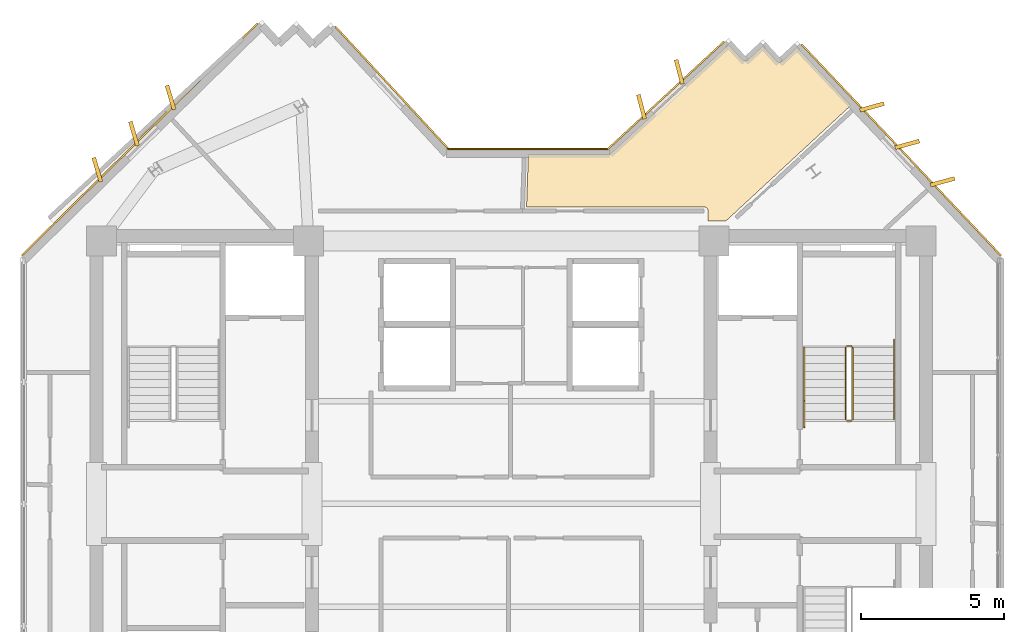
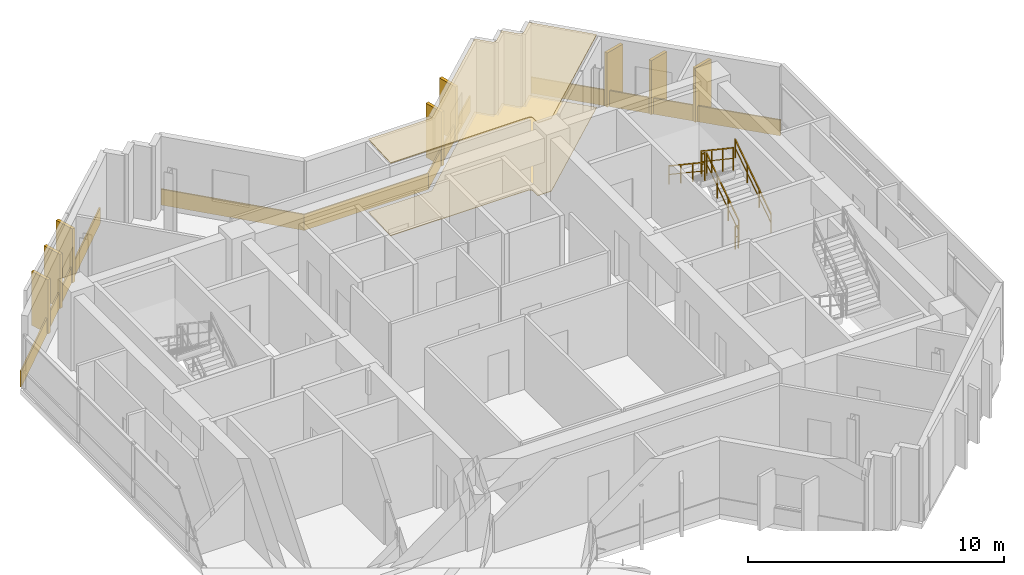
# One storey, part 9 of 9: 15 coverings, 6 railings.
"""IFC4 building model written with IfcOpenShell, lengths in metres."""

from ifc_helpers import new_model, si_unit, direction, frame, origin, origin_2d, place, context, subcontext, project, spatial, polyline, rectangle, outline, extrude, source, transform, mapped, material, layer, layer_set, type_object, element, save


model = new_model("IFC4")

# Units and contexts
model_context = context("Model", 3, precision=1e-05, world=origin(), true_north=direction((0.0, 1.0)))
body_context = subcontext(model_context, "Body", "Model", "MODEL_VIEW")
ifc_project = project(units=[si_unit("LENGTHUNIT", "METRE"), si_unit("AREAUNIT", "SQUARE_METRE"), si_unit("VOLUMEUNIT", "CUBIC_METRE"), si_unit("PLANEANGLEUNIT", "RADIAN"), si_unit("MASSUNIT", "GRAM", prefix="KILO")], contexts=[model_context])

# Site, building, storey
site_placement = place(None, origin())
site = spatial("IfcSite", under=ifc_project, at=site_placement, CompositionType="ELEMENT")
building_placement = place(site_placement, origin())
building = spatial("IfcBuilding", under=site, at=building_placement, Name="Zahravan Cultural Tower", CompositionType="ELEMENT")
storey_placement = place(building_placement, frame((0.0, 0.0, 291.60009765625)))
storey = spatial("IfcBuildingStorey", under=building, at=storey_placement, Name="L70", CompositionType="ELEMENT", Elevation=291.60009765625)

# Coverings
ifc_material_1 = material(Name="Acoustic mineral fibreboard")
ifc_layer_1 = layer(ifc_material_1, 0.0400390625)
ifc_layer_set_1 = layer_set([ifc_layer_1], Name="Acoustic mineral fibreboard")
covering_type_1 = type_object("IfcCoveringType", Name="COV-CEIL-AC20", PredefinedType="CEILING", material=ifc_layer_set_1)
covering_1_placement = place(storey_placement, frame((0.0, 0.0, 3.4599609375)))
element("IfcCovering", 1, at=covering_1_placement, inside=storey, type_object=covering_type_1, Name="L70 Acoustic Suspended Ceiling", PredefinedType="CEILING", context=body_context, shape_type="SweptSolid", body=[
    extrude(outline(polyline([(46.0068359375, 42.984619140625), (45.492919921875, 42.509521484375), (45.4326171875, 42.476318359375), (45.353515625, 42.4755859375), (45.2890625, 42.50927734375), (44.8056640625, 43.031494140625), (44.293212890625, 42.5576171875), (44.246337890625, 42.52880859375), (44.184326171875, 42.51904296875), (44.122802734375, 42.53369140625), (44.078125, 42.566162109375), (43.6044921875, 43.078369140625), (39.4951171875, 39.277587890625), (39.450927734375, 39.249755859375), (39.3994140625, 39.239990234375), (36.59814453125, 39.239990234375), (36.53515625, 37.39990234375), (42.77392578125, 37.399658203125), (42.8525390625, 37.362548828125), (42.8896484375, 37.283935546875), (42.889892578125, 36.89990234375), (43.5078125, 36.89990234375), (47.8876953125, 40.951171875), (46.0068359375, 42.984619140625)])), origin(), (0.0, 0.0, 1.0), 0.0400390625),
])
ifc_material_2 = material(Name="Terrazzo flooring")
ifc_layer_2 = layer(ifc_material_2, 0.02490234375)
ifc_layer_set_2 = layer_set([ifc_layer_2], Name="Terrazzo flooring")
covering_type_2 = type_object("IfcCoveringType", Name="COV-FLR-TZ25", PredefinedType="FLOORING", material=ifc_layer_set_2)
covering_2_placement = place(storey_placement, origin())
element("IfcCovering", 2, at=covering_2_placement, inside=storey, type_object=covering_type_2, Name="L70 Polished Terrazzo Flooring", PredefinedType="FLOORING", context=body_context, shape_type="SweptSolid", body=[
    extrude(outline(polyline([(46.0068359375, 42.984619140625), (45.492919921875, 42.509521484375), (45.4326171875, 42.476318359375), (45.353515625, 42.4755859375), (45.2890625, 42.50927734375), (44.8056640625, 43.031494140625), (44.293212890625, 42.5576171875), (44.246337890625, 42.52880859375), (44.184326171875, 42.51904296875), (44.122802734375, 42.53369140625), (44.078125, 42.566162109375), (43.6044921875, 43.078369140625), (39.4951171875, 39.277587890625), (39.450927734375, 39.249755859375), (39.3994140625, 39.239990234375), (36.59814453125, 39.239990234375), (36.53515625, 37.39990234375), (42.77392578125, 37.399658203125), (42.8525390625, 37.362548828125), (42.8896484375, 37.283935546875), (42.889892578125, 36.89990234375), (43.5078125, 36.89990234375), (47.8876953125, 40.951171875), (46.0068359375, 42.984619140625)])), origin(), (0.0, 0.0, 1.0), 0.02490234375),
])

# Railings
ifc_material_3 = material(Name="Steel ASTM A572 Grade 50", Category="steel")
railing_type_1 = type_object("IfcRailingType", Name="RL-STAIR-GRD1150", PredefinedType="BALUSTRADE", material=ifc_material_3)
railing_1_placement = place(storey_placement, frame((47.949951171875, 29.949951171875, 0.1875)))
element("IfcRailing", 3, at=railing_1_placement, inside=storey, type_object=railing_type_1, Name="L70 ST-E1 stair guard 1", PredefinedType="BALUSTRADE", context=body_context, shape_type="SweptSolid", body=[
    extrude(rectangle(XDim=0.05, YDim=0.05, at=origin_2d()), frame((0.0, 0.0, 1.0751953125), z_axis=(0.0, 0.830909170722, 0.55640807867), x_axis=(-1.0, 0.0, 0.0)), (0.0, 0.0, 1.0), 3.032958984375),
    extrude(rectangle(XDim=0.032, YDim=0.032, at=origin_2d()), frame((0.0, 0.0, 0.572021484375), z_axis=(0.0, 0.830909170722, 0.55640807867), x_axis=(-1.0, 0.0, 0.0)), (0.0, 0.0, 1.0), 3.032958984375),
    extrude(rectangle(XDim=0.04, YDim=0.04, at=origin_2d()), origin(), (0.0, 0.0, 1.0), 1.10009765625),
    extrude(rectangle(XDim=0.04, YDim=0.04, at=origin_2d()), frame((0.0, 0.840087890625, 0.5625)), (0.0, 0.0, 1.0), 1.10009765625),
    extrude(rectangle(XDim=0.04, YDim=0.04, at=origin_2d()), frame((0.0, 1.679931640625, 1.125)), (0.0, 0.0, 1.0), 1.10009765625),
    extrude(rectangle(XDim=0.04, YDim=0.04, at=origin_2d()), frame((0.0, 2.52001953125, 1.6875)), (0.0, 0.0, 1.0), 1.10009765625),
])
railing_2_placement = place(storey_placement, frame((47.89990234375, 32.52001953125, 1.875)))
element("IfcRailing", 4, at=railing_2_placement, inside=storey, type_object=railing_type_1, Name="L70 ST-E1 stair guard 2", PredefinedType="BALUSTRADE", context=body_context, shape_type="SweptSolid", body=[
    extrude(rectangle(XDim=0.05, YDim=0.05, at=origin_2d()), frame((0.0, 0.0, 1.0751953125), z_axis=(-1.0, 0.0, 0.0), x_axis=(0.0, -1.0, 0.0)), (0.0, 0.0, 1.0), 0.14990234375),
    extrude(rectangle(XDim=0.032, YDim=0.032, at=origin_2d()), frame((0.0, 0.0, 0.572021484375), z_axis=(-1.0, 0.0, 0.0), x_axis=(0.0, -1.0, 0.0)), (0.0, 0.0, 1.0), 0.14990234375),
    extrude(rectangle(XDim=0.04, YDim=0.04, at=origin_2d()), origin(), (0.0, 0.0, 1.0), 1.10009765625),
    extrude(rectangle(XDim=0.04, YDim=0.04, at=origin_2d()), frame((-0.14990234375, 0.0, 0.0)), (0.0, 0.0, 1.0), 1.10009765625),
])
railing_3_placement = place(storey_placement, frame((47.699951171875, 32.469970703125, 2.0625)))
element("IfcRailing", 5, at=railing_3_placement, inside=storey, type_object=railing_type_1, Name="L70 ST-E1 stair guard 3", PredefinedType="BALUSTRADE", context=body_context, shape_type="SweptSolid", body=[
    extrude(rectangle(XDim=0.05, YDim=0.05, at=origin_2d()), frame((0.0, 0.0, 1.0751953125), z_axis=(0.0, -0.830909170722, 0.55640807867), x_axis=(1.0, 0.0, 0.0)), (0.0, 0.0, 1.0), 3.032958984375),
    extrude(rectangle(XDim=0.032, YDim=0.032, at=origin_2d()), frame((0.0, 0.0, 0.572021484375), z_axis=(0.0, -0.830909170722, 0.55640807867), x_axis=(1.0, 0.0, 0.0)), (0.0, 0.0, 1.0), 3.032958984375),
    extrude(rectangle(XDim=0.04, YDim=0.04, at=origin_2d()), origin(), (0.0, 0.0, 1.0), 1.10009765625),
    extrude(rectangle(XDim=0.04, YDim=0.04, at=origin_2d()), frame((0.0, -0.840087890625, 0.5625)), (0.0, 0.0, 1.0), 1.10009765625),
    extrude(rectangle(XDim=0.04, YDim=0.04, at=origin_2d()), frame((0.0, -1.679931640625, 1.125)), (0.0, 0.0, 1.0), 1.10009765625),
    extrude(rectangle(XDim=0.04, YDim=0.04, at=origin_2d()), frame((0.0, -2.52001953125, 1.6875)), (0.0, 0.0, 1.0), 1.10009765625),
])
railing_4_placement = place(storey_placement, frame((47.89990234375, 29.89990234375, 0.0)))
element("IfcRailing", 6, at=railing_4_placement, inside=storey, type_object=railing_type_1, Name="L70 ST-E1 stair guard 4", PredefinedType="BALUSTRADE", context=body_context, shape_type="SweptSolid", body=[
    extrude(rectangle(XDim=0.05, YDim=0.05, at=origin_2d()), frame((0.0, 0.0, 1.0751953125), z_axis=(-1.0, 0.0, 0.0), x_axis=(0.0, -1.0, 0.0)), (0.0, 0.0, 1.0), 0.14990234375),
    extrude(rectangle(XDim=0.032, YDim=0.032, at=origin_2d()), frame((0.0, 0.0, 0.572021484375), z_axis=(-1.0, 0.0, 0.0), x_axis=(0.0, -1.0, 0.0)), (0.0, 0.0, 1.0), 0.14990234375),
    extrude(rectangle(XDim=0.04, YDim=0.04, at=origin_2d()), origin(), (0.0, 0.0, 1.0), 1.10009765625),
    extrude(rectangle(XDim=0.04, YDim=0.04, at=origin_2d()), frame((-0.14990234375, 0.0, 0.0)), (0.0, 0.0, 1.0), 1.10009765625),
])
railing_type_2 = type_object("IfcRailingType", Name="RL-STAIR-HR900", PredefinedType="HANDRAIL", material=ifc_material_3)
railing_5_placement = place(storey_placement, frame((49.39990234375, 29.949951171875, 0.1875)))
element("IfcRailing", 7, at=railing_5_placement, inside=storey, type_object=railing_type_2, Name="L70 ST-E1 stair handrail 1", PredefinedType="HANDRAIL", context=body_context, shape_type="SweptSolid", body=[
    extrude(rectangle(XDim=0.05, YDim=0.05, at=origin_2d()), frame((0.0, 0.0, 0.875), z_axis=(0.0, 0.830911662861, 0.55640435703), x_axis=(-1.0, 0.0, 0.0)), (0.0, 0.0, 1.0), 3.369873046875),
    extrude(rectangle(XDim=0.032, YDim=0.032, at=origin_2d()), frame((0.0, 0.0, 0.468017578125), z_axis=(0.0, 0.830911662861, 0.55640435703), x_axis=(-1.0, 0.0, 0.0)), (0.0, 0.0, 1.0), 3.369873046875),
    extrude(rectangle(XDim=0.04, YDim=0.04, at=origin_2d()), origin(), (0.0, 0.0, 1.0), 0.89990234375),
    extrude(rectangle(XDim=0.04, YDim=0.04, at=origin_2d()), frame((0.0, 0.933349609375, 0.625)), (0.0, 0.0, 1.0), 0.89990234375),
    extrude(rectangle(XDim=0.04, YDim=0.04, at=origin_2d()), frame((0.0, 1.86669921875, 1.25)), (0.0, 0.0, 1.0), 0.89990234375),
    extrude(rectangle(XDim=0.04, YDim=0.04, at=origin_2d()), frame((0.0, 2.800048828125, 1.875)), (0.0, 0.0, 1.0), 0.89990234375),
])
railing_6_placement = place(storey_placement, frame((46.25, 32.469970703125, 2.0625)))
element("IfcRailing", 8, at=railing_6_placement, inside=storey, type_object=railing_type_2, Name="L70 ST-E1 stair handrail 2", PredefinedType="HANDRAIL", context=body_context, shape_type="SweptSolid", body=[
    extrude(rectangle(XDim=0.05, YDim=0.05, at=origin_2d()), frame((0.0, 0.0, 0.875), z_axis=(0.0, -0.830911662861, 0.55640435703), x_axis=(1.0, 0.0, 0.0)), (0.0, 0.0, 1.0), 3.369873046875),
    extrude(rectangle(XDim=0.032, YDim=0.032, at=origin_2d()), frame((0.0, 0.0, 0.468017578125), z_axis=(0.0, -0.830911662861, 0.55640435703), x_axis=(1.0, 0.0, 0.0)), (0.0, 0.0, 1.0), 3.369873046875),
    extrude(rectangle(XDim=0.04, YDim=0.04, at=origin_2d()), origin(), (0.0, 0.0, 1.0), 0.89990234375),
    extrude(rectangle(XDim=0.04, YDim=0.04, at=origin_2d()), frame((0.0, -0.933349609375, 0.625)), (0.0, 0.0, 1.0), 0.89990234375),
    extrude(rectangle(XDim=0.04, YDim=0.04, at=origin_2d()), frame((0.0, -1.86669921875, 1.25)), (0.0, 0.0, 1.0), 0.89990234375),
    extrude(rectangle(XDim=0.04, YDim=0.04, at=origin_2d()), frame((0.0, -2.800048828125, 1.875)), (0.0, 0.0, 1.0), 0.89990234375),
])

# Coverings
ifc_material_4 = material(Name="Terracotta ceramic cladding", Category="masonry")
ifc_layer_3 = layer(ifc_material_4, 0.06005859375)
ifc_layer_set_3 = layer_set([ifc_layer_3], Name="Terracotta ceramic cladding")
covering_type_3 = type_object("IfcCoveringType", Name="COV-CLAD-TC60", PredefinedType="CLADDING", material=ifc_layer_set_3)
shared_shape_1 = source(origin(), body_context, "Body", "SweptSolid", [
    extrude(rectangle(XDim=0.8798828125, YDim=0.139892578125, at=origin_2d()), origin(), (0.0, 0.0, 1.0), 2.580078125),
])
for number, where, z_axis, x_axis, name in (
    (9, (40.559814453125, 40.902587890625, 0.0498046875), (0.0, 0.0, 1.0), (-0.254888865301, 0.96697035443, 0.0), "L70 Herringbone Terracotta Fin 01"),
    (10, (41.88134765625, 42.124755859375, 0.0498046875), (0.0, 0.0, 1.0), (-0.254888865301, 0.96697035443, 0.0), "L70 Herringbone Terracotta Fin 02"),
    (11, (48.62548828125, 40.895263671875, 0.0498046875), (0.0, 0.0, 1.0), (0.964336018232, 0.264681023006, 0.0), "L70 Herringbone Terracotta Fin 03"),
    (12, (49.861083984375, 39.586181640625, 0.0498046875), (0.0, 0.0, 1.0), (0.964336018232, 0.264681023006, 0.0), "L70 Herringbone Terracotta Fin 04"),
    (13, (51.0966796875, 38.27734375, 0.0498046875), (0.0, 0.0, 1.0), (0.964336018232, 0.264681023006, 0.0), "L70 Herringbone Terracotta Fin 05"),
    (14, (21.506591796875, 38.70068359375, 0.0498046875), (0.0, 0.0, 1.0), (-0.284969073996, 0.958536711277, 0.0), "L70 Herringbone Terracotta Fin 16"),
    (15, (22.7890625, 39.96337890625, 0.0498046875), (0.0, 0.0, 1.0), (-0.284969073996, 0.958536711277, 0.0), "L70 Herringbone Terracotta Fin 17"),
    (16, (24.07177734375, 41.226318359375, 0.0498046875), (0.0, 0.0, 1.0), (-0.284969073996, 0.958536711277, 0.0), "L70 Herringbone Terracotta Fin 18"),
):
    element("IfcCovering", number, at=place(storey_placement, frame(where, z_axis=z_axis, x_axis=x_axis)), inside=storey, type_object=covering_type_3, Name=name, PredefinedType="CLADDING", context=body_context, shape_type="MappedRepresentation", body=[
        mapped(shared_shape_1, transform((0.0, 0.0, 0.0), x_axis=(1.0, 0.0, 0.0), y_axis=(0.0, 1.0, 0.0), z_axis=(0.0, 0.0, 1.0), scale=1.0)),
    ])
shared_shape_2 = source(origin(), body_context, "Body", "SweptSolid", [
    extrude(rectangle(XDim=5.56494140625, YDim=0.06005859375, at=origin_2d()), origin(), (0.0, 0.0, 1.0), 0.760009765625),
])
covering_3_placement = place(storey_placement, frame((41.4140625, 41.304443359375, 0.02001953125), z_axis=(0.0, 0.0, 1.0), x_axis=(0.73412107288, 0.679018593525, 0.0)))
element("IfcCovering", 17, at=covering_3_placement, inside=storey, type_object=covering_type_3, Name="L70 Terracotta Spandrel Cladding 01", PredefinedType="CLADDING", context=body_context, shape_type="MappedRepresentation", body=[
    mapped(shared_shape_2, transform((0.0, 0.0, 0.0), x_axis=(1.0, 0.0, 0.0), y_axis=(0.0, 1.0, 0.0), z_axis=(0.0, 0.0, 1.0), scale=1.0)),
])
shared_shape_3 = source(origin(), body_context, "Body", "SweptSolid", [
    extrude(rectangle(XDim=10.173583984375, YDim=0.06005859375, at=origin_2d()), origin(), (0.0, 0.0, 1.0), 0.760009765625),
])
covering_4_placement = place(storey_placement, frame((49.65380859375, 39.390625, 0.02001953125), z_axis=(0.0, 0.0, 1.0), x_axis=(0.686427809669, -0.727197952495, 0.0)))
element("IfcCovering", 18, at=covering_4_placement, inside=storey, type_object=covering_type_3, Name="L70 Terracotta Spandrel Cladding 06", PredefinedType="CLADDING", context=body_context, shape_type="MappedRepresentation", body=[
    mapped(shared_shape_3, transform((0.0, 0.0, 0.0), x_axis=(1.0, 0.0, 0.0), y_axis=(0.0, 1.0, 0.0), z_axis=(0.0, 0.0, 1.0), scale=1.0)),
])
shared_shape_4 = source(origin(), body_context, "Body", "SweptSolid", [
    extrude(rectangle(XDim=11.589599609375, YDim=0.06005859375, at=origin_2d()), origin(), (0.0, 0.0, 1.0), 0.760009765625),
])
covering_5_placement = place(storey_placement, frame((22.989013671875, 39.760498046875, 0.02001953125), z_axis=(0.0, 0.0, 1.0), x_axis=(0.712552805375, 0.701618485755, 0.0)))
element("IfcCovering", 19, at=covering_5_placement, inside=storey, type_object=covering_type_3, Name="L70 Terracotta Spandrel Cladding 20", PredefinedType="CLADDING", context=body_context, shape_type="MappedRepresentation", body=[
    mapped(shared_shape_4, transform((0.0, 0.0, 0.0), x_axis=(1.0, 0.0, 0.0), y_axis=(0.0, 1.0, 0.0), z_axis=(0.0, 0.0, 1.0), scale=1.0)),
])
shared_shape_5 = source(origin(), body_context, "Body", "SweptSolid", [
    extrude(rectangle(XDim=5.8798828125, YDim=0.06005859375, at=origin_2d()), origin(), (0.0, 0.0, 1.0), 0.760009765625),
])
covering_6_placement = place(storey_placement, frame((31.8232421875, 41.56689453125, 0.02001953125), z_axis=(0.0, 0.0, 1.0), x_axis=(0.679005780592, -0.734132923879, 0.0)))
element("IfcCovering", 20, at=covering_6_placement, inside=storey, type_object=covering_type_3, Name="L70 Terracotta Spandrel Cladding 25", PredefinedType="CLADDING", context=body_context, shape_type="MappedRepresentation", body=[
    mapped(shared_shape_5, transform((0.0, 0.0, 0.0), x_axis=(1.0, 0.0, 0.0), y_axis=(0.0, 1.0, 0.0), z_axis=(0.0, 0.0, 1.0), scale=1.0)),
])
shared_shape_6 = source(origin(), body_context, "Body", "SweptSolid", [
    extrude(rectangle(XDim=5.614501953125, YDim=0.06005859375, at=origin_2d()), origin(), (0.0, 0.0, 1.0), 0.760009765625),
])
covering_7_placement = place(storey_placement, frame((36.589599609375, 39.425048828125, 0.02001953125), z_axis=(0.0, 0.0, 1.0), x_axis=(1.0, 0.0, 0.0)))
element("IfcCovering", 21, at=covering_7_placement, inside=storey, type_object=covering_type_3, Name="L70 Terracotta Spandrel Cladding 26", PredefinedType="CLADDING", context=body_context, shape_type="MappedRepresentation", body=[
    mapped(shared_shape_6, transform((0.0, 0.0, 0.0), x_axis=(1.0, 0.0, 0.0), y_axis=(0.0, 1.0, 0.0), z_axis=(0.0, 0.0, 1.0), scale=1.0)),
])

save(model, "model.ifc")
